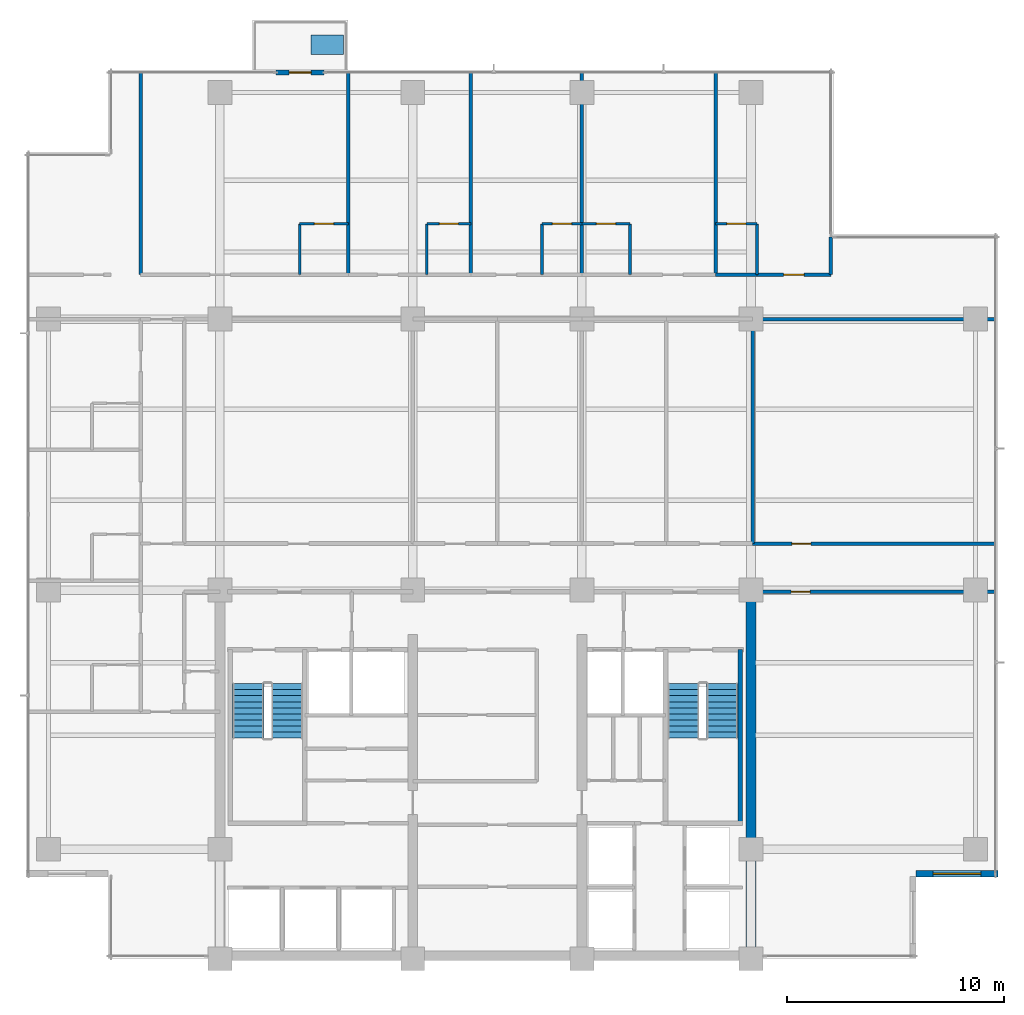
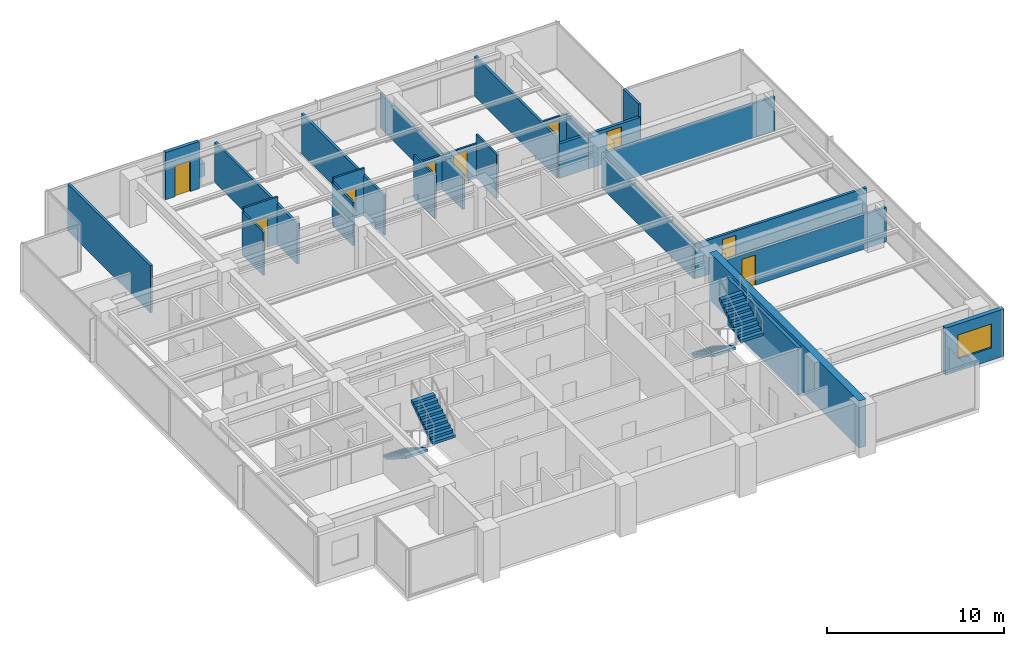
# One storey, part 10 of 14: 26 walls, 9 doors, 4 stair flights, 1 discrete accessory, 1 window, 10 openings, 2 elements without a shape of their own.
"""IFC4 building model written with IfcOpenShell, lengths in metres."""

from ifc_helpers import new_model, si_unit, direction, frame, frame_2d, origin, place, context, subcontext, project, spatial, polyline, rectangle, outline, extrude, material, layer, layer_set, type_object, element, fill, aggregate, save


model = new_model("IFC4")

# Units and contexts
model_context = context("Model", 3, precision=1e-05, world=origin(), true_north=direction((0.0, 1.0)))
body_context = subcontext(model_context, "Body", "Model", "MODEL_VIEW")
ifc_project = project(units=[si_unit("LENGTHUNIT", "METRE"), si_unit("AREAUNIT", "SQUARE_METRE"), si_unit("VOLUMEUNIT", "CUBIC_METRE"), si_unit("PLANEANGLEUNIT", "RADIAN"), si_unit("MASSUNIT", "GRAM", prefix="KILO")], contexts=[model_context])

# Site, building, storey
site_placement = place(None, origin())
site = spatial("IfcSite", under=ifc_project, at=site_placement, CompositionType="ELEMENT")
building_placement = place(site_placement, origin())
building = spatial("IfcBuilding", under=site, at=building_placement, Name="Qalmaran Belvedere Hotel", CompositionType="ELEMENT")
storey_placement = place(building_placement, frame((0.0, 0.0, 156.10009765625)))
storey = spatial("IfcBuildingStorey", under=building, at=storey_placement, Name="L39", CompositionType="ELEMENT", Elevation=156.10009765625)

# Wall, opening, door
ifc_material_1 = material(Name="Anodised Bronze Cladding")
ifc_layer_1 = layer(ifc_material_1, 0.22509765625, Name="Anodised Bronze Cladding")
ifc_layer_set_1 = layer_set([ifc_layer_1], Name="Anodised Bronze Cladding")
wall_type_1 = type_object("IfcWallType", Name="WL-BAL-PORT-225", PredefinedType="SOLIDWALL", material=ifc_layer_set_1)
wall_1_placement = place(storey_placement, frame((22.89990234375, 44.3798828125, 0.0), z_axis=(0.0, 0.0, 1.0), x_axis=(1.0, 0.0, 0.0)))
wall_1 = element("IfcWall", 1, at=wall_1_placement, inside=storey, type_object=wall_type_1, Name="L39 Tree Balcony Door Portal", PredefinedType="SOLIDWALL", context=body_context, shape_type="SweptSolid", body=[
    extrude(rectangle(XDim=2.2001953125, YDim=0.22509765625, at=frame_2d((1.10009765625, 0.0))), origin(), (0.0, 0.0, 1.0), 3.25),
])
opening_1_placement = place(wall_1_placement, frame((0.590087890625, 0.0, 0.0)))
opening_1 = element("IfcOpeningElement", 2, at=opening_1_placement, cuts=wall_1, Name="Opening BL-102", PredefinedType="OPENING", context=body_context, shape_type="SweptSolid", body=[
    extrude(rectangle(XDim=1.02001953125, YDim=2.10009765625, at=frame_2d((0.510009765625, 1.050048828125))), frame((0.0, 0.12255859375, 0.0), z_axis=(0.0, -1.0, 0.0), x_axis=(1.0, 0.0, 0.0)), (0.0, 0.0, 1.0), 0.2451171875),
])
ifc_material_2 = material(Name="Anodised Bronze Aluminium", Category="aluminium")
door_type_1 = type_object("IfcDoorType", Name="DR-BAL-1020X2100", OperationType="NOTDEFINED", PredefinedType="DOOR", material=ifc_material_2)
door_1_placement = place(opening_1_placement, origin())
door_1 = element("IfcDoor", 3, at=door_1_placement, inside=storey, type_object=door_type_1, Name="L39 Planted Tree Balcony Door", OperationType="SINGLE_SWING_RIGHT", OverallHeight=2.10009765625, OverallWidth=1.02001953125, PredefinedType="DOOR", context=body_context, shape_type="SweptSolid", body=[
    extrude(rectangle(XDim=1.02001953125, YDim=2.10009765625, at=frame_2d((0.510009765625, 1.050048828125))), frame((0.0, 0.02490234375, 0.0), z_axis=(0.0, -1.0, 0.0), x_axis=(1.0, 0.0, 0.0)), (0.0, 0.0, 1.0), 0.050048828125),
])
fill(opening_1, door_1)

# Wall
ifc_material_3 = material(Name="Concrete C50/60", Category="concrete")
ifc_layer_2 = layer(ifc_material_3, 0.449951171875, Name="Concrete C50/60")
ifc_layer_set_2 = layer_set([ifc_layer_2], Name="Concrete C50/60")
wall_type_2 = type_object("IfcWallType", Name="WL-CORE-450-C50", PredefinedType="SHEAR", material=ifc_layer_set_2)
wall_2_placement = place(storey_placement, frame((44.800048828125, 3.5, 0.0), z_axis=(0.0, 0.0, 1.0), x_axis=(0.0, 1.0, 0.0)))
element("IfcWall", 4, at=wall_2_placement, inside=storey, type_object=wall_type_2, Name="L39 East Core Shear Wall", PredefinedType="SHEAR", context=body_context, shape_type="SweptSolid", body=[
    extrude(rectangle(XDim=16.89990234375, YDim=0.449951171875, at=frame_2d((8.449951171875, 0.0))), origin(), (0.0, 0.0, 1.0), 3.25),
])

# Wall, opening, window
ifc_layer_3 = layer(ifc_material_1, 0.280029296875, Name="Anodised Bronze Cladding")
ifc_layer_set_3 = layer_set([ifc_layer_3], Name="Anodised Bronze Cladding")
wall_type_3 = type_object("IfcWallType", Name="WL-EXT-BRNZ-280", PredefinedType="SOLIDWALL", material=ifc_layer_set_3)
wall_3_placement = place(storey_placement, frame((52.39990234375, 7.419921875, 0.0), z_axis=(0.0, 0.0, 1.0), x_axis=(1.0, 0.0, 0.0)))
wall_3 = element("IfcWall", 5, at=wall_3_placement, inside=storey, type_object=wall_type_3, Name="L39 Corner Notch Wall 2", PredefinedType="SOLIDWALL", context=body_context, shape_type="SweptSolid", body=[
    extrude(rectangle(XDim=3.800048828125, YDim=0.280029296875, at=frame_2d((1.89990234375, 0.0))), origin(), (0.0, 0.0, 1.0), 3.25),
])
opening_2_placement = place(wall_3_placement, frame((0.800048828125, 0.0, 0.85009765625)))
opening_2 = element("IfcOpeningElement", 6, at=opening_2_placement, cuts=wall_3, Name="Opening W-N22", PredefinedType="OPENING", context=body_context, shape_type="SweptSolid", body=[
    extrude(rectangle(XDim=2.199951171875, YDim=1.64990234375, at=frame_2d((1.10009765625, 0.824951171875))), frame((0.0, 0.14990234375, 0.0), z_axis=(0.0, -1.0, 0.0), x_axis=(1.0, 0.0, 0.0)), (0.0, 0.0, 1.0), 0.300048828125),
])
ifc_material_4 = material(Name="Solar-Control Double Glazing", Category="glass")
window_type = type_object("IfcWindowType", Name="WN-NTC-2200X1650", PartitioningType="SINGLE_PANEL", PredefinedType="WINDOW", material=ifc_material_4)
window_placement = place(opening_2_placement, origin())
window = element("IfcWindow", 7, at=window_placement, inside=storey, type_object=window_type, Name="L39 Corner Notch Window 2", OverallHeight=1.64990234375, OverallWidth=2.199951171875, PartitioningType="SINGLE_PANEL", PredefinedType="WINDOW", context=body_context, shape_type="SweptSolid", body=[
    extrude(rectangle(XDim=2.199951171875, YDim=1.64990234375, at=frame_2d((1.10009765625, 0.824951171875))), frame((0.0, 0.030029296875, 0.0), z_axis=(0.0, -1.0, 0.0), x_axis=(1.0, 0.0, 0.0)), (0.0, 0.0, 1.0), 0.06005859375),
])
fill(opening_2, window)

# Wall, opening, door
ifc_material_5 = material(Name="Moisture-Resistant Gypsum")
ifc_layer_4 = layer(ifc_material_5, 0.1201171875, Name="Moisture-Resistant Gypsum")
ifc_layer_set_4 = layer_set([ifc_layer_4], Name="Moisture-Resistant Gypsum")
wall_type_4 = type_object("IfcWallType", Name="WL-INT-120-BATH", PredefinedType="PARTITIONING", material=ifc_layer_set_4)
wall_4_placement = place(storey_placement, frame((23.979248046875, 37.39990234375, 0.0), z_axis=(0.0, 0.0, 1.0), x_axis=(1.0, 0.0, 0.0)))
wall_4 = element("IfcWall", 8, at=wall_4_placement, inside=storey, type_object=wall_type_4, Name="L39 Partition WL-L39-NBN00", PredefinedType="PARTITIONING", context=body_context, shape_type="SweptSolid", body=[
    extrude(rectangle(XDim=2.25, YDim=0.1201171875, at=frame_2d((1.125, 0.0))), origin(), (0.0, 0.0, 1.0), 3.25),
])
opening_3_placement = place(wall_4_placement, frame((1.56494140625, 0.0, 0.0), z_axis=(0.0, 0.0, 1.0), x_axis=(-1.0, 0.0, 0.0)))
opening_3 = element("IfcOpeningElement", 9, at=opening_3_placement, cuts=wall_4, Name="Opening D-BATH", PredefinedType="OPENING", context=body_context, shape_type="SweptSolid", body=[
    extrude(rectangle(XDim=0.8798828125, YDim=2.080078125, at=frame_2d((0.43994140625, 1.0400390625))), frame((0.0, 0.070068359375, 0.0), z_axis=(0.0, -1.0, 0.0), x_axis=(1.0, 0.0, 0.0)), (0.0, 0.0, 1.0), 0.14013671875),
])
ifc_material_6 = material(Name="Engineered Oak Veneer")
door_type_2 = type_object("IfcDoorType", Name="DR-INT-BATH-880X2080", OperationType="NOTDEFINED", PredefinedType="DOOR", material=ifc_material_6)
door_2_placement = place(opening_3_placement, origin())
door_2 = element("IfcDoor", 10, at=door_2_placement, inside=storey, type_object=door_type_2, Name="L39 Ensuite Bathroom Door N01", OperationType="SINGLE_SWING_RIGHT", OverallHeight=2.080078125, OverallWidth=0.8798828125, PredefinedType="DOOR", context=body_context, shape_type="SweptSolid", body=[
    extrude(rectangle(XDim=0.8798828125, YDim=2.080078125, at=frame_2d((0.43994140625, 1.0400390625))), frame((0.0, 0.02490234375, 0.0), z_axis=(0.0, -1.0, 0.0), x_axis=(1.0, 0.0, 0.0)), (0.0, 0.0, 1.0), 0.050048828125),
])
fill(opening_3, door_2)

# Wall
wall_5_placement = place(storey_placement, frame((23.979248046875, 35.050048828125, 0.0), z_axis=(0.0, 0.0, 1.0), x_axis=(0.0, 1.0, 0.0)))
element("IfcWall", 11, at=wall_5_placement, inside=storey, type_object=wall_type_4, Name="L39 Partition WL-L39-NBS00", PredefinedType="PARTITIONING", context=body_context, shape_type="SweptSolid", body=[
    extrude(rectangle(XDim=2.349853515625, YDim=0.1201171875, at=frame_2d((1.1748046875, 0.0))), origin(), (0.0, 0.0, 1.0), 2.98779296875),
])

# Wall, opening, door
wall_6_placement = place(storey_placement, frame((29.844970703125, 37.39990234375, 0.0), z_axis=(0.0, 0.0, 1.0), x_axis=(1.0, 0.0, 0.0)))
wall_6 = element("IfcWall", 12, at=wall_6_placement, inside=storey, type_object=wall_type_4, Name="L39 Partition WL-L39-NBN01", PredefinedType="PARTITIONING", context=body_context, shape_type="SweptSolid", body=[
    extrude(rectangle(XDim=2.030029296875, YDim=0.1201171875, at=frame_2d((1.01513671875, 0.0))), origin(), (0.0, 0.0, 1.0), 3.25),
])
opening_4_placement = place(wall_6_placement, frame((1.454833984375, 0.0, 0.0), z_axis=(0.0, 0.0, 1.0), x_axis=(-1.0, 0.0, 0.0)))
opening_4 = element("IfcOpeningElement", 13, at=opening_4_placement, cuts=wall_6, Name="Opening D-BATH", PredefinedType="OPENING", context=body_context, shape_type="SweptSolid", body=[
    extrude(rectangle(XDim=0.8798828125, YDim=2.080078125, at=frame_2d((0.43994140625, 1.0400390625))), frame((0.0, 0.070068359375, 0.0), z_axis=(0.0, -1.0, 0.0), x_axis=(1.0, 0.0, 0.0)), (0.0, 0.0, 1.0), 0.14013671875),
])
door_3_placement = place(opening_4_placement, origin())
door_3 = element("IfcDoor", 14, at=door_3_placement, inside=storey, type_object=door_type_2, Name="L39 Ensuite Bathroom Door N02", OperationType="SINGLE_SWING_RIGHT", OverallHeight=2.080078125, OverallWidth=0.8798828125, PredefinedType="DOOR", context=body_context, shape_type="SweptSolid", body=[
    extrude(rectangle(XDim=0.8798828125, YDim=2.080078125, at=frame_2d((0.43994140625, 1.0400390625))), frame((0.0, 0.02490234375, 0.0), z_axis=(0.0, -1.0, 0.0), x_axis=(1.0, 0.0, 0.0)), (0.0, 0.0, 1.0), 0.050048828125),
])
fill(opening_4, door_3)

# Wall
wall_7_placement = place(storey_placement, frame((29.844970703125, 35.050048828125, 0.0), z_axis=(0.0, 0.0, 1.0), x_axis=(0.0, 1.0, 0.0)))
element("IfcWall", 15, at=wall_7_placement, inside=storey, type_object=wall_type_4, Name="L39 Partition WL-L39-NBS01", PredefinedType="PARTITIONING", context=body_context, shape_type="SweptSolid", body=[
    extrude(rectangle(XDim=2.349853515625, YDim=0.1201171875, at=frame_2d((1.1748046875, 0.0))), origin(), (0.0, 0.0, 1.0), 2.98779296875),
])

# Wall, opening, door
wall_8_placement = place(storey_placement, frame((35.159912109375, 37.39990234375, 0.0), z_axis=(0.0, 0.0, 1.0), x_axis=(1.0, 0.0, 0.0)))
wall_8 = element("IfcWall", 16, at=wall_8_placement, inside=storey, type_object=wall_type_4, Name="L39 Partition WL-L39-NBN02", PredefinedType="PARTITIONING", context=body_context, shape_type="SweptSolid", body=[
    extrude(rectangle(XDim=1.840087890625, YDim=0.1201171875, at=frame_2d((0.919921875, 0.0))), origin(), (0.0, 0.0, 1.0), 2.3798828125),
])
opening_5_placement = place(wall_8_placement, frame((1.35986328125, 0.0, 0.0), z_axis=(0.0, 0.0, 1.0), x_axis=(-1.0, 0.0, 0.0)))
opening_5 = element("IfcOpeningElement", 17, at=opening_5_placement, cuts=wall_8, Name="Opening D-BATH", PredefinedType="OPENING", context=body_context, shape_type="SweptSolid", body=[
    extrude(rectangle(XDim=0.8798828125, YDim=2.080078125, at=frame_2d((0.43994140625, 1.0400390625))), frame((0.0, 0.070068359375, 0.0), z_axis=(0.0, -1.0, 0.0), x_axis=(1.0, 0.0, 0.0)), (0.0, 0.0, 1.0), 0.14013671875),
])
door_4_placement = place(opening_5_placement, origin())
door_4 = element("IfcDoor", 18, at=door_4_placement, inside=storey, type_object=door_type_2, Name="L39 Ensuite Bathroom Door N03", OperationType="SINGLE_SWING_RIGHT", OverallHeight=2.080078125, OverallWidth=0.8798828125, PredefinedType="DOOR", context=body_context, shape_type="SweptSolid", body=[
    extrude(rectangle(XDim=0.8798828125, YDim=2.080078125, at=frame_2d((0.43994140625, 1.0400390625))), frame((0.0, 0.02490234375, 0.0), z_axis=(0.0, -1.0, 0.0), x_axis=(1.0, 0.0, 0.0)), (0.0, 0.0, 1.0), 0.050048828125),
])
fill(opening_5, door_4)

# Wall
wall_9_placement = place(storey_placement, frame((35.159912109375, 35.050048828125, 0.0), z_axis=(0.0, 0.0, 1.0), x_axis=(0.0, 1.0, 0.0)))
element("IfcWall", 19, at=wall_9_placement, inside=storey, type_object=wall_type_4, Name="L39 Partition WL-L39-NBS02", PredefinedType="PARTITIONING", context=body_context, shape_type="SweptSolid", body=[
    extrude(rectangle(XDim=2.349853515625, YDim=0.1201171875, at=frame_2d((1.1748046875, 0.0))), origin(), (0.0, 0.0, 1.0), 2.98779296875),
])

# Wall, opening, door
wall_10_placement = place(storey_placement, frame((37.0, 37.39990234375, 0.0), z_axis=(0.0, 0.0, 1.0), x_axis=(1.0, 0.0, 0.0)))
wall_10 = element("IfcWall", 20, at=wall_10_placement, inside=storey, type_object=wall_type_4, Name="L39 Partition WL-L39-NBN03", PredefinedType="PARTITIONING", context=body_context, shape_type="SweptSolid", body=[
    extrude(rectangle(XDim=2.219970703125, YDim=0.1201171875, at=frame_2d((1.10986328125, 0.0))), origin(), (0.0, 0.0, 1.0), 2.3798828125),
])
opening_6_placement = place(wall_10_placement, frame((1.5498046875, 0.0, 0.0), z_axis=(0.0, 0.0, 1.0), x_axis=(-1.0, 0.0, 0.0)))
opening_6 = element("IfcOpeningElement", 21, at=opening_6_placement, cuts=wall_10, Name="Opening D-BATH", PredefinedType="OPENING", context=body_context, shape_type="SweptSolid", body=[
    extrude(rectangle(XDim=0.8798828125, YDim=2.080078125, at=frame_2d((0.43994140625, 1.0400390625))), frame((0.0, 0.070068359375, 0.0), z_axis=(0.0, -1.0, 0.0), x_axis=(1.0, 0.0, 0.0)), (0.0, 0.0, 1.0), 0.14013671875),
])
door_5_placement = place(opening_6_placement, origin())
door_5 = element("IfcDoor", 22, at=door_5_placement, inside=storey, type_object=door_type_2, Name="L39 Ensuite Bathroom Door N04", OperationType="SINGLE_SWING_RIGHT", OverallHeight=2.080078125, OverallWidth=0.8798828125, PredefinedType="DOOR", context=body_context, shape_type="SweptSolid", body=[
    extrude(rectangle(XDim=0.8798828125, YDim=2.080078125, at=frame_2d((0.43994140625, 1.0400390625))), frame((0.0, 0.02490234375, 0.0), z_axis=(0.0, -1.0, 0.0), x_axis=(1.0, 0.0, 0.0)), (0.0, 0.0, 1.0), 0.050048828125),
])
fill(opening_6, door_5)

# Wall
wall_11_placement = place(storey_placement, frame((39.219970703125, 35.050048828125, 0.0), z_axis=(0.0, 0.0, 1.0), x_axis=(0.0, 1.0, 0.0)))
element("IfcWall", 23, at=wall_11_placement, inside=storey, type_object=wall_type_4, Name="L39 Partition WL-L39-NBS03", PredefinedType="PARTITIONING", context=body_context, shape_type="SweptSolid", body=[
    extrude(rectangle(XDim=2.349853515625, YDim=0.1201171875, at=frame_2d((1.1748046875, 0.0))), origin(), (0.0, 0.0, 1.0), 2.98779296875),
])

# Wall, opening, door
wall_12_placement = place(storey_placement, frame((43.16650390625, 37.39990234375, 0.0), z_axis=(0.0, 0.0, 1.0), x_axis=(1.0, 0.0, 0.0)))
wall_12 = element("IfcWall", 24, at=wall_12_placement, inside=storey, type_object=wall_type_4, Name="L39 Partition WL-L39-NBN04", PredefinedType="PARTITIONING", context=body_context, shape_type="SweptSolid", body=[
    extrude(rectangle(XDim=1.909912109375, YDim=0.1201171875, at=frame_2d((0.955078125, 0.0))), origin(), (0.0, 0.0, 1.0), 2.3798828125),
])
opening_7_placement = place(wall_12_placement, frame((1.394775390625, 0.0, 0.0), z_axis=(0.0, 0.0, 1.0), x_axis=(-1.0, 0.0, 0.0)))
opening_7 = element("IfcOpeningElement", 25, at=opening_7_placement, cuts=wall_12, Name="Opening D-BATH", PredefinedType="OPENING", context=body_context, shape_type="SweptSolid", body=[
    extrude(rectangle(XDim=0.8798828125, YDim=2.080078125, at=frame_2d((0.43994140625, 1.0400390625))), frame((0.0, 0.070068359375, 0.0), z_axis=(0.0, -1.0, 0.0), x_axis=(1.0, 0.0, 0.0)), (0.0, 0.0, 1.0), 0.14013671875),
])
door_6_placement = place(opening_7_placement, origin())
door_6 = element("IfcDoor", 26, at=door_6_placement, inside=storey, type_object=door_type_2, Name="L39 Ensuite Bathroom Door N05", OperationType="SINGLE_SWING_RIGHT", OverallHeight=2.080078125, OverallWidth=0.8798828125, PredefinedType="DOOR", context=body_context, shape_type="SweptSolid", body=[
    extrude(rectangle(XDim=0.8798828125, YDim=2.080078125, at=frame_2d((0.43994140625, 1.0400390625))), frame((0.0, 0.02490234375, 0.0), z_axis=(0.0, -1.0, 0.0), x_axis=(1.0, 0.0, 0.0)), (0.0, 0.0, 1.0), 0.050048828125),
])
fill(opening_7, door_6)

# Wall
wall_13_placement = place(storey_placement, frame((45.076416015625, 35.050048828125, 0.0), z_axis=(0.0, 0.0, 1.0), x_axis=(0.0, 1.0, 0.0)))
element("IfcWall", 27, at=wall_13_placement, inside=storey, type_object=wall_type_4, Name="L39 Partition WL-L39-NBS04", PredefinedType="PARTITIONING", context=body_context, shape_type="SweptSolid", body=[
    extrude(rectangle(XDim=2.349853515625, YDim=0.1201171875, at=frame_2d((1.1748046875, 0.0))), origin(), (0.0, 0.0, 1.0), 2.3798828125),
])

# Wall, opening, door
ifc_material_7 = material(Name="Gypsum Stud Partition")
ifc_layer_5 = layer(ifc_material_7, 0.159912109375, Name="Gypsum Stud Partition")
ifc_layer_set_5 = layer_set([ifc_layer_5], Name="Gypsum Stud Partition")
wall_type_5 = type_object("IfcWallType", Name="WL-INT-160-EI60", PredefinedType="PARTITIONING", material=ifc_layer_set_5)
wall_14_placement = place(storey_placement, frame((44.800048828125, 20.419921875, 0.0), z_axis=(0.0, 0.0, 1.0), x_axis=(1.0, 0.0, 0.0)))
wall_14 = element("IfcWall", 28, at=wall_14_placement, inside=storey, type_object=wall_type_5, Name="L39 Partition WL-L39-ECE1S", PredefinedType="PARTITIONING", context=body_context, shape_type="SweptSolid", body=[
    extrude(rectangle(XDim=11.280029296875, YDim=0.159912109375, at=frame_2d((5.64013671875, 0.0))), origin(), (0.0, 0.0, 1.0), 2.3798828125),
])
opening_8_placement = place(wall_14_placement, frame((2.72998046875, 0.0, 0.0), z_axis=(0.0, 0.0, 1.0), x_axis=(-1.0, 0.0, 0.0)))
opening_8 = element("IfcOpeningElement", 29, at=opening_8_placement, cuts=wall_14, Name="Opening FD60B", PredefinedType="OPENING", context=body_context, shape_type="SweptSolid", body=[
    extrude(rectangle(XDim=0.8798828125, YDim=2.080078125, at=frame_2d((0.43994140625, 1.0400390625))), frame((0.0, 0.08984375, 0.0), z_axis=(0.0, -1.0, 0.0), x_axis=(1.0, 0.0, 0.0)), (0.0, 0.0, 1.0), 0.179931640625),
])
ifc_material_8 = material(Name="Steel S355JR", Category="steel")
door_type_3 = type_object("IfcDoorType", Name="DR-FD60B-880X2080", OperationType="NOTDEFINED", PredefinedType="DOOR", material=ifc_material_8)
door_7_placement = place(opening_8_placement, origin())
door_7 = element("IfcDoor", 30, at=door_7_placement, inside=storey, type_object=door_type_3, Name="L39 East Library Door", OperationType="SINGLE_SWING_LEFT", OverallHeight=2.080078125, OverallWidth=0.8798828125, PredefinedType="DOOR", context=body_context, shape_type="SweptSolid", body=[
    extrude(rectangle(XDim=0.8798828125, YDim=2.080078125, at=frame_2d((0.43994140625, 1.0400390625))), frame((0.0, 0.02490234375, 0.0), z_axis=(0.0, -1.0, 0.0), x_axis=(1.0, 0.0, 0.0)), (0.0, 0.0, 1.0), 0.050048828125),
])
fill(opening_8, door_7)

wall_15_placement = place(storey_placement, frame((44.8798828125, 22.64990234375, 0.0), z_axis=(0.0, 0.0, 1.0), x_axis=(1.0, 0.0, 0.0)))
wall_15 = element("IfcWall", 31, at=wall_15_placement, inside=storey, type_object=wall_type_5, Name="L39 Partition WL-L39-ECE2N", PredefinedType="PARTITIONING", context=body_context, shape_type="SweptSolid", body=[
    extrude(rectangle(XDim=11.2001953125, YDim=0.159912109375, at=frame_2d((5.60009765625, 0.0))), origin(), (0.0, 0.0, 1.0), 2.3798828125),
])
opening_9_placement = place(wall_15_placement, frame((1.800048828125, 0.0, 0.0)))
opening_9 = element("IfcOpeningElement", 32, at=opening_9_placement, cuts=wall_15, Name="Opening FD60B", PredefinedType="OPENING", context=body_context, shape_type="SweptSolid", body=[
    extrude(rectangle(XDim=0.8798828125, YDim=2.080078125, at=frame_2d((0.43994140625, 1.0400390625))), frame((0.0, 0.08984375, 0.0), z_axis=(0.0, -1.0, 0.0), x_axis=(1.0, 0.0, 0.0)), (0.0, 0.0, 1.0), 0.179931640625),
])
door_8_placement = place(opening_9_placement, origin())
door_8 = element("IfcDoor", 33, at=door_8_placement, inside=storey, type_object=door_type_3, Name="L39 East Fitness Door", OperationType="SINGLE_SWING_RIGHT", OverallHeight=2.080078125, OverallWidth=0.8798828125, PredefinedType="DOOR", context=body_context, shape_type="SweptSolid", body=[
    extrude(rectangle(XDim=0.8798828125, YDim=2.080078125, at=frame_2d((0.43994140625, 1.0400390625))), frame((0.0, 0.02490234375, 0.0), z_axis=(0.0, -1.0, 0.0), x_axis=(1.0, 0.0, 0.0)), (0.0, 0.0, 1.0), 0.050048828125),
])
fill(opening_9, door_8)

# Walls
wall_16_placement = place(storey_placement, frame((44.8798828125, 33.0, 0.0), z_axis=(0.0, 0.0, 1.0), x_axis=(1.0, 0.0, 0.0)))
element("IfcWall", 34, at=wall_16_placement, inside=storey, type_object=wall_type_5, Name="L39 Partition WL-L39-ECEN", PredefinedType="PARTITIONING", context=body_context, shape_type="SweptSolid", body=[
    extrude(rectangle(XDim=11.2001953125, YDim=0.159912109375, at=frame_2d((5.60009765625, 0.0))), origin(), (0.0, 0.0, 1.0), 2.3798828125),
])
wall_17_placement = place(storey_placement, frame((44.8798828125, 22.64990234375, 0.0), z_axis=(0.0, 0.0, 1.0), x_axis=(0.0, 1.0, 0.0)))
element("IfcWall", 35, at=wall_17_placement, inside=storey, type_object=wall_type_5, Name="L39 Partition WL-L39-MIDVR5", PredefinedType="PARTITIONING", context=body_context, shape_type="SweptSolid", body=[
    extrude(rectangle(XDim=10.35009765625, YDim=0.159912109375, at=frame_2d((5.175048828125, 0.0))), origin(), (0.0, 0.0, 1.0), 2.3798828125),
])
wall_18_placement = place(storey_placement, frame((16.64990234375, 35.050048828125, 0.0), z_axis=(0.0, 0.0, 1.0), x_axis=(0.0, 1.0, 0.0)))
element("IfcWall", 36, at=wall_18_placement, inside=storey, type_object=wall_type_5, Name="L39 Partition WL-L39-NUL", PredefinedType="PARTITIONING", context=body_context, shape_type="SweptSolid", body=[
    extrude(rectangle(XDim=9.329833984375, YDim=0.159912109375, at=frame_2d((4.6650390625, 0.0))), origin(), (0.0, 0.0, 1.0), 3.25),
])
for number, where, z_axis, x_axis, name in (
    (37, (26.229248046875, 35.050048828125, 0.0), (0.0, 0.0, 1.0), (0.0, 1.0, 0.0), "L39 Partition WL-L39-NUR00"),
    (38, (31.875, 35.050048828125, 0.0), (0.0, 0.0, 1.0), (0.0, 1.0, 0.0), "L39 Partition WL-L39-NUR01"),
):
    element("IfcWall", number, at=place(storey_placement, frame(where, z_axis=z_axis, x_axis=x_axis)), inside=storey, type_object=wall_type_5, Name=name, PredefinedType="PARTITIONING", context=body_context, shape_type="SweptSolid", body=[
        extrude(rectangle(XDim=9.329833984375, YDim=0.159912109375, at=frame_2d((4.6650390625, 0.0))), origin(), (0.0, 0.0, 1.0), 2.77197265625),
    ])
wall_19_placement = place(storey_placement, frame((37.0, 35.050048828125, 0.0), z_axis=(0.0, 0.0, 1.0), x_axis=(0.0, 1.0, 0.0)))
element("IfcWall", 39, at=wall_19_placement, inside=storey, type_object=wall_type_5, Name="L39 Partition WL-L39-NUR02", PredefinedType="PARTITIONING", context=body_context, shape_type="SweptSolid", body=[
    extrude(rectangle(XDim=9.329833984375, YDim=0.159912109375, at=frame_2d((4.6650390625, 0.0))), origin(), (0.0, 0.0, 1.0), 2.3798828125),
])
wall_20_placement = place(storey_placement, frame((43.16650390625, 35.050048828125, 0.0), z_axis=(0.0, 0.0, 1.0), x_axis=(0.0, 1.0, 0.0)))
element("IfcWall", 40, at=wall_20_placement, inside=storey, type_object=wall_type_5, Name="L39 Partition WL-L39-NUR03", PredefinedType="PARTITIONING", context=body_context, shape_type="SweptSolid", body=[
    extrude(rectangle(XDim=9.329833984375, YDim=0.159912109375, at=frame_2d((4.6650390625, 0.0))), origin(), (0.0, 0.0, 1.0), 2.77197265625),
])
wall_21_placement = place(storey_placement, frame((48.47998046875, 35.050048828125, 0.0), z_axis=(0.0, 0.0, 1.0), x_axis=(0.0, 1.0, 0.0)))
element("IfcWall", 41, at=wall_21_placement, inside=storey, type_object=wall_type_5, Name="L39 Partition WL-L39-NUR04", PredefinedType="PARTITIONING", context=body_context, shape_type="SweptSolid", body=[
    extrude(rectangle(XDim=1.72998046875, YDim=0.159912109375, at=frame_2d((0.864990234375, 0.0))), origin(), (0.0, 0.0, 1.0), 3.25),
])
ifc_layer_6 = layer(ifc_material_7, 0.179931640625, Name="Gypsum Stud Partition")
ifc_layer_set_6 = layer_set([ifc_layer_6], Name="Gypsum Stud Partition")
wall_type_6 = type_object("IfcWallType", Name="WL-INT-180-EI60", PredefinedType="PARTITIONING", material=ifc_layer_set_6)
wall_22_placement = place(storey_placement, frame((43.16650390625, 35.050048828125, 0.0), z_axis=(0.0, 0.0, 1.0), x_axis=(1.0, 0.0, 0.0)))
element("IfcWall", 42, at=wall_22_placement, inside=storey, type_object=wall_type_6, Name="L39 Partition WL-L39-NBC04", PredefinedType="PARTITIONING", context=body_context, shape_type="SweptSolid", body=[
    extrude(rectangle(XDim=1.909912109375, YDim=0.179931640625, at=frame_2d((0.955078125, 0.0))), origin(), (0.0, 0.0, 1.0), 2.3798828125),
])

# Wall, opening, door
wall_23_placement = place(storey_placement, frame((45.076416015625, 35.050048828125, 0.0), z_axis=(0.0, 0.0, 1.0), x_axis=(1.0, 0.0, 0.0)))
wall_23 = element("IfcWall", 43, at=wall_23_placement, inside=storey, type_object=wall_type_6, Name="L39 Partition WL-L39-NEC04", PredefinedType="PARTITIONING", context=body_context, shape_type="SweptSolid", body=[
    extrude(rectangle(XDim=3.403564453125, YDim=0.179931640625, at=frame_2d((1.70166015625, 0.0))), origin(), (0.0, 0.0, 1.0), 2.3798828125),
])
opening_10_placement = place(wall_23_placement, frame((1.226806640625, 0.0, 0.0)))
opening_10 = element("IfcOpeningElement", 44, at=opening_10_placement, cuts=wall_23, Name="Opening FD60", PredefinedType="OPENING", context=body_context, shape_type="SweptSolid", body=[
    extrude(rectangle(XDim=0.949951171875, YDim=2.14990234375, at=frame_2d((0.47509765625, 1.074951171875))), frame((0.0, 0.10009765625, 0.0), z_axis=(0.0, -1.0, 0.0), x_axis=(1.0, 0.0, 0.0)), (0.0, 0.0, 1.0), 0.199951171875),
])
door_type_4 = type_object("IfcDoorType", Name="DR-FD60-950X2150", OperationType="NOTDEFINED", PredefinedType="DOOR", material=ifc_material_6)
door_9_placement = place(opening_10_placement, origin())
door_9 = element("IfcDoor", 45, at=door_9_placement, inside=storey, type_object=door_type_4, Name="L39 Guest Entrance Door N05", OperationType="SINGLE_SWING_LEFT", OverallHeight=2.14990234375, OverallWidth=0.949951171875, PredefinedType="DOOR", context=body_context, shape_type="SweptSolid", body=[
    extrude(rectangle(XDim=0.949951171875, YDim=2.14990234375, at=frame_2d((0.47509765625, 1.074951171875))), frame((0.0, 0.02490234375, 0.0), z_axis=(0.0, -1.0, 0.0), x_axis=(1.0, 0.0, 0.0)), (0.0, 0.0, 1.0), 0.050048828125),
])
fill(opening_10, door_9)

# Wall
ifc_layer_7 = layer(ifc_material_3, 0.2099609375, Name="Concrete C50/60")
ifc_layer_set_7 = layer_set([ifc_layer_7], Name="Concrete C50/60")
wall_type_7 = type_object("IfcWallType", Name="WL-STAIR-210-C50", PredefinedType="SHEAR", material=ifc_layer_set_7)
wall_24_placement = place(storey_placement, frame((44.304931640625, 9.7451171875, 0.0), z_axis=(0.0, 0.0, 1.0), x_axis=(0.0, 1.0, 0.0)))
element("IfcWall", 46, at=wall_24_placement, inside=storey, type_object=wall_type_7, Name="L39 Stair ST-2 East Bearing Wall", PredefinedType="SHEAR", context=body_context, shape_type="SweptSolid", body=[
    extrude(rectangle(XDim=8.009765625, YDim=0.2099609375, at=frame_2d((4.0048828125, 0.0))), origin(), (0.0, 0.0, 1.0), 3.25),
])

# Stair, stair flights
ifc_material_9 = material(Name="Concrete C40/50", Category="concrete")
stair_type_1 = type_object("IfcStairType", Name="STR-ST-1-1450-R1750", PredefinedType="HALF_TURN_STAIR", material=ifc_material_9)
stair_1_placement = place(storey_placement, origin())
stair_1 = element("IfcStair", 47, at=stair_1_placement, inside=storey, type_object=stair_type_1, Name="L39 West Core Exit Stair ST-1", PredefinedType="HALF_TURN_STAIR")
ifc_layer_8 = layer(ifc_material_9, 0.14990234375, Name="Concrete C40/50")
ifc_layer_set_8 = layer_set([ifc_layer_8], Name="Concrete C40/50")
stair_flight_type_1 = type_object("IfcStairFlightType", Name="STF-ST-1-1450-R1750", PredefinedType="STRAIGHT", material=ifc_layer_set_8)
stair_flight_1_placement = place(storey_placement, frame((21.60498046875, 16.18994140625, 0.0), z_axis=(0.0, 0.0, 1.0), x_axis=(0.0, -1.0, 0.0)))
stair_flight_1 = element("IfcStairFlight", 48, at=stair_flight_1_placement, type_object=stair_flight_type_1, Name="ST-1 flight 1", NumberOfRisers=10, NumberOfTreads=9, PredefinedType="STRAIGHT", RiserHeight=0.175, TreadLength=0.28, context=body_context, shape_type="SweptSolid", body=[
    extrude(outline(polyline([(0.0, 0.0), (0.0, 0.175048828125), (0.280029296875, 0.175048828125), (0.280029296875, 0.35009765625), (0.56005859375, 0.35009765625), (0.56005859375, 0.52490234375), (0.840087890625, 0.52490234375), (0.840087890625, 0.699951171875), (1.1201171875, 0.699951171875), (1.1201171875, 0.875), (1.39990234375, 0.875), (1.39990234375, 1.050048828125), (1.679931640625, 1.050048828125), (1.679931640625, 1.22509765625), (1.9599609375, 1.22509765625), (1.9599609375, 1.39990234375), (2.239990234375, 1.39990234375), (2.239990234375, 1.574951171875), (2.52001953125, 1.574951171875), (2.52001953125, 1.75), (2.52001953125, 1.398193359375), (0.28271484375, 0.0), (0.0, 0.0)])), frame((0.0, 0.72509765625, 0.0), z_axis=(0.0, -1.0, 0.0), x_axis=(1.0, 0.0, 0.0)), (0.0, 0.0, 1.0), 1.449951171875),
])
stair_flight_2_placement = place(storey_placement, frame((23.39501953125, 13.669921875, 1.75), z_axis=(0.0, 0.0, 1.0), x_axis=(0.0, 1.0, 0.0)))
stair_flight_2 = element("IfcStairFlight", 49, at=stair_flight_2_placement, type_object=stair_flight_type_1, Name="ST-1 flight 2", NumberOfRisers=10, NumberOfTreads=9, PredefinedType="STRAIGHT", RiserHeight=0.175, TreadLength=0.28, context=body_context, shape_type="SweptSolid", body=[
    extrude(outline(polyline([(0.0, 0.0), (0.0, 0.175048828125), (0.280029296875, 0.175048828125), (0.280029296875, 0.35009765625), (0.56005859375, 0.35009765625), (0.56005859375, 0.52490234375), (0.840087890625, 0.52490234375), (0.840087890625, 0.699951171875), (1.1201171875, 0.699951171875), (1.1201171875, 0.875), (1.39990234375, 0.875), (1.39990234375, 1.050048828125), (1.679931640625, 1.050048828125), (1.679931640625, 1.22509765625), (1.9599609375, 1.22509765625), (1.9599609375, 1.39990234375), (2.239990234375, 1.39990234375), (2.239990234375, 1.574951171875), (2.52001953125, 1.574951171875), (2.52001953125, 1.75), (2.52001953125, 1.398193359375), (0.28271484375, 0.0), (0.0, 0.0)])), frame((0.0, 0.72509765625, 0.0), z_axis=(0.0, -1.0, 0.0), x_axis=(1.0, 0.0, 0.0)), (0.0, 0.0, 1.0), 1.449951171875),
])
aggregate(stair_1, [stair_flight_1, stair_flight_2])

stair_type_2 = type_object("IfcStairType", Name="STR-ST-2-1450-R1750", PredefinedType="HALF_TURN_STAIR", material=ifc_material_9)
stair_2_placement = place(storey_placement, origin())
stair_2 = element("IfcStair", 50, at=stair_2_placement, inside=storey, type_object=stair_type_2, Name="L39 East Core Exit Stair ST-2", PredefinedType="HALF_TURN_STAIR")
ifc_layer_9 = layer(ifc_material_9, 0.14990234375, Name="Concrete C40/50")
ifc_layer_set_9 = layer_set([ifc_layer_9], Name="Concrete C40/50")
stair_flight_type_2 = type_object("IfcStairFlightType", Name="STF-ST-2-1450-R1750", PredefinedType="STRAIGHT", material=ifc_layer_set_9)
stair_flight_3_placement = place(storey_placement, frame((41.68505859375, 16.18994140625, 0.0), z_axis=(0.0, 0.0, 1.0), x_axis=(0.0, -1.0, 0.0)))
stair_flight_3 = element("IfcStairFlight", 51, at=stair_flight_3_placement, type_object=stair_flight_type_2, Name="ST-2 flight 1", NumberOfRisers=10, NumberOfTreads=9, PredefinedType="STRAIGHT", RiserHeight=0.175, TreadLength=0.28, context=body_context, shape_type="SweptSolid", body=[
    extrude(outline(polyline([(0.0, 0.0), (0.0, 0.175048828125), (0.280029296875, 0.175048828125), (0.280029296875, 0.35009765625), (0.56005859375, 0.35009765625), (0.56005859375, 0.52490234375), (0.840087890625, 0.52490234375), (0.840087890625, 0.699951171875), (1.1201171875, 0.699951171875), (1.1201171875, 0.875), (1.39990234375, 0.875), (1.39990234375, 1.050048828125), (1.679931640625, 1.050048828125), (1.679931640625, 1.22509765625), (1.9599609375, 1.22509765625), (1.9599609375, 1.39990234375), (2.239990234375, 1.39990234375), (2.239990234375, 1.574951171875), (2.52001953125, 1.574951171875), (2.52001953125, 1.75), (2.52001953125, 1.398193359375), (0.28271484375, 0.0), (0.0, 0.0)])), frame((0.0, 0.72509765625, 0.0), z_axis=(0.0, -1.0, 0.0), x_axis=(1.0, 0.0, 0.0)), (0.0, 0.0, 1.0), 1.449951171875),
])
stair_flight_4_placement = place(storey_placement, frame((43.47509765625, 13.669921875, 1.75), z_axis=(0.0, 0.0, 1.0), x_axis=(0.0, 1.0, 0.0)))
stair_flight_4 = element("IfcStairFlight", 52, at=stair_flight_4_placement, type_object=stair_flight_type_2, Name="ST-2 flight 2", NumberOfRisers=10, NumberOfTreads=9, PredefinedType="STRAIGHT", RiserHeight=0.175, TreadLength=0.28, context=body_context, shape_type="SweptSolid", body=[
    extrude(outline(polyline([(0.0, 0.0), (0.0, 0.175048828125), (0.280029296875, 0.175048828125), (0.280029296875, 0.35009765625), (0.56005859375, 0.35009765625), (0.56005859375, 0.52490234375), (0.840087890625, 0.52490234375), (0.840087890625, 0.699951171875), (1.1201171875, 0.699951171875), (1.1201171875, 0.875), (1.39990234375, 0.875), (1.39990234375, 1.050048828125), (1.679931640625, 1.050048828125), (1.679931640625, 1.22509765625), (1.9599609375, 1.22509765625), (1.9599609375, 1.39990234375), (2.239990234375, 1.39990234375), (2.239990234375, 1.574951171875), (2.52001953125, 1.574951171875), (2.52001953125, 1.75), (2.52001953125, 1.398193359375), (0.28271484375, 0.0), (0.0, 0.0)])), frame((0.0, 0.72509765625, 0.0), z_axis=(0.0, -1.0, 0.0), x_axis=(1.0, 0.0, 0.0)), (0.0, 0.0, 1.0), 1.449951171875),
])
aggregate(stair_2, [stair_flight_3, stair_flight_4])

# Discrete accessory
discrete_accessory_type = type_object("IfcDiscreteAccessoryType", Name="PLN-BAL-1500", PredefinedType="USERDEFINED", material=ifc_material_9)
discrete_accessory_placement = place(storey_placement, origin())
element("IfcDiscreteAccessory", 53, at=discrete_accessory_placement, inside=storey, type_object=discrete_accessory_type, Name="L39 Sky Tree Planter", ObjectType="PLANTER", PredefinedType="USERDEFINED", context=body_context, shape_type="SweptSolid", body=[
    extrude(outline(polyline([(24.5, 45.199951171875), (26.0, 45.199951171875), (26.0, 46.10009765625), (24.5, 46.10009765625), (24.5, 45.199951171875)])), origin(), (0.0, 0.0, 1.0), 0.89990234375),
])

save(model, "model.ifc")
